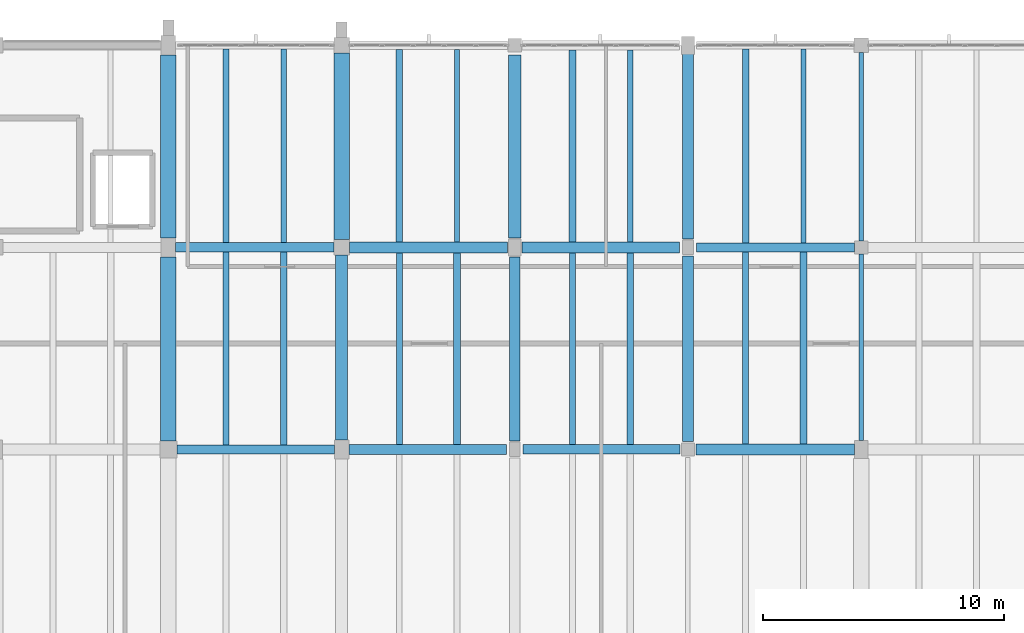
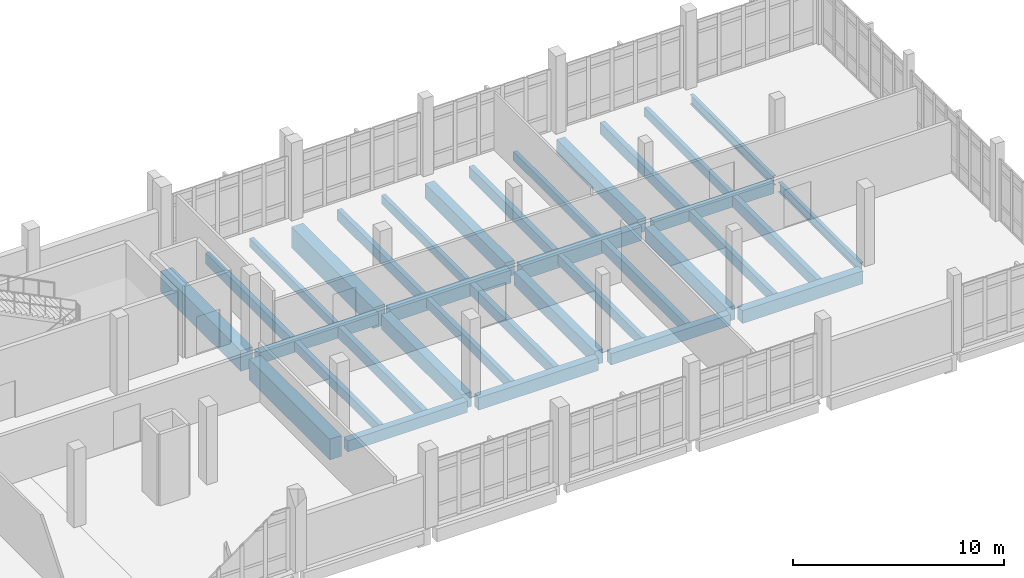
# One storey, part 35 of 57: 34 beams.
"""IFC4 building model written with IfcOpenShell, lengths in metres."""

from ifc_helpers import new_model, si_unit, direction, frame, origin, origin_2d, place, context, subcontext, project, spatial, rectangle, i_section, extrude, material, material_profile, profile_set, type_object, element, save


model = new_model("IFC4")

# Units and contexts
model_context = context("Model", 3, precision=1e-05, world=origin(), true_north=direction((0.0, 1.0)))
body_context = subcontext(model_context, "Body", "Model", "MODEL_VIEW")
ifc_project = project(units=[si_unit("LENGTHUNIT", "METRE"), si_unit("AREAUNIT", "SQUARE_METRE"), si_unit("VOLUMEUNIT", "CUBIC_METRE"), si_unit("PLANEANGLEUNIT", "RADIAN"), si_unit("MASSUNIT", "GRAM", prefix="KILO")], contexts=[model_context])

# Site, building, storey
site_placement = place(None, origin())
site = spatial("IfcSite", under=ifc_project, at=site_placement, CompositionType="ELEMENT")
building_placement = place(site_placement, origin())
building = spatial("IfcBuilding", under=site, at=building_placement, Name="Kalluvel Institute of Natural Sciences", CompositionType="ELEMENT")
storey_placement = place(building_placement, frame((0.0, 0.0, 23.39990234375)))
storey = spatial("IfcBuildingStorey", under=building, at=storey_placement, Name="L05", CompositionType="ELEMENT", Elevation=23.39990234375)

# Beams
ifc_material_1 = material(Name="Steel E350 Grade 350", Category="steel")
ifc_material_profile_1 = material_profile(ifc_material_1, i_section(OverallWidth=0.18994140625, OverallDepth=0.550048828125, WebThickness=0.01123046875, FlangeThickness=0.019287109375, FilletRadius=0.01806640625, at=origin_2d()), Name="ISMB 550")
ifc_profile_set_1 = profile_set([ifc_material_profile_1], Name="Steel E350 Grade 350")
beam_type_1 = type_object("IfcBeamType", Name="BM-ISMB550", PredefinedType="BEAM", material=ifc_profile_set_1)
beam_1_placement = place(storey_placement, frame((107.60009765625, 111.574951171875, -0.594970703125), z_axis=(0.0, 1.0, 0.0), x_axis=(-1.0, 0.0, 0.0)))
element("IfcBeam", 1, at=beam_1_placement, inside=storey, type_object=beam_type_1, Name="L05 girder GIR-L05-NS-X1076-Y1112", PredefinedType="BEAM", context=body_context, shape_type="SweptSolid", body=[
    extrude(i_section(OverallWidth=0.18994140625, OverallDepth=0.550048828125, WebThickness=0.01123046875, FlangeThickness=0.019287109375, FilletRadius=0.01806640625, at=origin_2d()), origin(), (0.0, 0.0, 1.0), 7.75),
])
beam_2_placement = place(storey_placement, frame((107.60009765625, 119.875, -0.594970703125), z_axis=(0.0, 1.0, 0.0), x_axis=(-1.0, 0.0, 0.0)))
element("IfcBeam", 2, at=beam_2_placement, inside=storey, type_object=beam_type_1, Name="L05 girder GIR-L05-NS-X1076-Y1196", PredefinedType="BEAM", context=body_context, shape_type="SweptSolid", body=[
    extrude(i_section(OverallWidth=0.18994140625, OverallDepth=0.550048828125, WebThickness=0.01123046875, FlangeThickness=0.019287109375, FilletRadius=0.01806640625, at=origin_2d()), origin(), (0.0, 0.0, 1.0), 7.824951171875),
])
ifc_material_2 = material(Name="Concrete M40", Category="concrete")
ifc_material_profile_2 = material_profile(ifc_material_2, rectangle(XDim=0.3798828125, YDim=0.639892578125, at=origin_2d()), Name="RCB 380x640")
ifc_profile_set_2 = profile_set([ifc_material_profile_2], Name="Concrete M40")
beam_type_2 = type_object("IfcBeamType", Name="BM-RC380x640", PredefinedType="BEAM", material=ifc_profile_set_2)
beam_3_placement = place(storey_placement, frame((79.14990234375, 111.199951171875, -0.639892578125), z_axis=(1.0, 0.0, 0.0), x_axis=(0.0, 1.0, 0.0)))
element("IfcBeam", 3, at=beam_3_placement, inside=storey, type_object=beam_type_2, Name="L05 girder GIR-L05-EW-X788-Y1112", PredefinedType="BEAM", context=body_context, shape_type="SweptSolid", body=[
    extrude(rectangle(XDim=0.3798828125, YDim=0.639892578125, at=origin_2d()), origin(), (0.0, 0.0, 1.0), 6.550048828125),
])
beam_4_placement = place(storey_placement, frame((100.75, 119.60009765625, -0.639892578125), z_axis=(1.0, 0.0, 0.0), x_axis=(0.0, 1.0, 0.0)))
element("IfcBeam", 4, at=beam_4_placement, inside=storey, type_object=beam_type_2, Name="L05 girder GIR-L05-EW-X1004-Y1196", PredefinedType="BEAM", context=body_context, shape_type="SweptSolid", body=[
    extrude(rectangle(XDim=0.3798828125, YDim=0.639892578125, at=origin_2d()), origin(), (0.0, 0.0, 1.0), 6.574951171875),
])
ifc_material_profile_3 = material_profile(ifc_material_2, rectangle(XDim=0.39990234375, YDim=0.64990234375, at=origin_2d()), Name="RCB 400x650")
ifc_profile_set_3 = profile_set([ifc_material_profile_3], Name="Concrete M40")
beam_type_3 = type_object("IfcBeamType", Name="BM-RC400x650", PredefinedType="BEAM", material=ifc_profile_set_3)
beam_5_placement = place(storey_placement, frame((93.550048828125, 111.199951171875, -0.64501953125), z_axis=(1.0, 0.0, 0.0), x_axis=(0.0, 1.0, 0.0)))
element("IfcBeam", 5, at=beam_5_placement, inside=storey, type_object=beam_type_3, Name="L05 girder GIR-L05-EW-X932-Y1112", PredefinedType="BEAM", context=body_context, shape_type="SweptSolid", body=[
    extrude(rectangle(XDim=0.39990234375, YDim=0.64990234375, at=origin_2d()), origin(), (0.0, 0.0, 1.0), 6.52490234375),
])
beam_6_placement = place(storey_placement, frame((79.10009765625, 119.60009765625, -0.64501953125), z_axis=(1.0, 0.0, 0.0), x_axis=(0.0, 1.0, 0.0)))
element("IfcBeam", 6, at=beam_6_placement, inside=storey, type_object=beam_type_3, Name="L05 girder GIR-L05-EW-X788-Y1196", PredefinedType="BEAM", context=body_context, shape_type="SweptSolid", body=[
    extrude(rectangle(XDim=0.39990234375, YDim=0.64990234375, at=origin_2d()), origin(), (0.0, 0.0, 1.0), 6.574951171875),
])
ifc_material_profile_4 = material_profile(ifc_material_2, rectangle(XDim=0.419921875, YDim=0.719970703125, at=origin_2d()), Name="RCB 420x720")
ifc_profile_set_4 = profile_set([ifc_material_profile_4], Name="Concrete M40")
beam_type_4 = type_object("IfcBeamType", Name="BM-RC420x720", PredefinedType="BEAM", material=ifc_profile_set_4)
beam_7_placement = place(storey_placement, frame((86.300048828125, 111.199951171875, -0.679931640625), z_axis=(1.0, 0.0, 0.0), x_axis=(0.0, 1.0, 0.0)))
element("IfcBeam", 7, at=beam_7_placement, inside=storey, type_object=beam_type_4, Name="L05 girder GIR-L05-EW-X860-Y1112", PredefinedType="BEAM", context=body_context, shape_type="SweptSolid", body=[
    extrude(rectangle(XDim=0.419921875, YDim=0.719970703125, at=origin_2d()), origin(), (0.0, 0.0, 1.0), 6.550048828125),
])
ifc_material_profile_5 = material_profile(ifc_material_2, rectangle(XDim=0.449951171875, YDim=0.75, at=origin_2d()), Name="RCB 450x750")
ifc_profile_set_5 = profile_set([ifc_material_profile_5], Name="Concrete M40")
beam_type_5 = type_object("IfcBeamType", Name="BM-RC450x750", PredefinedType="BEAM", material=ifc_profile_set_5)
beam_8_placement = place(storey_placement, frame((100.72509765625, 111.199951171875, -0.69482421875), z_axis=(1.0, 0.0, 0.0), x_axis=(0.0, 1.0, 0.0)))
element("IfcBeam", 8, at=beam_8_placement, inside=storey, type_object=beam_type_5, Name="L05 girder GIR-L05-EW-X1004-Y1112", PredefinedType="BEAM", context=body_context, shape_type="SweptSolid", body=[
    extrude(rectangle(XDim=0.449951171875, YDim=0.75, at=origin_2d()), origin(), (0.0, 0.0, 1.0), 6.599853515625),
])
beam_9_placement = place(storey_placement, frame((86.324951171875, 119.60009765625, -0.69482421875), z_axis=(1.0, 0.0, 0.0), x_axis=(0.0, 1.0, 0.0)))
element("IfcBeam", 9, at=beam_9_placement, inside=storey, type_object=beam_type_5, Name="L05 girder GIR-L05-EW-X860-Y1196", PredefinedType="BEAM", context=body_context, shape_type="SweptSolid", body=[
    extrude(rectangle(XDim=0.449951171875, YDim=0.75, at=origin_2d()), origin(), (0.0, 0.0, 1.0), 6.574951171875),
])
ifc_material_profile_6 = material_profile(ifc_material_2, rectangle(XDim=0.449951171875, YDim=0.800048828125, at=origin_2d()), Name="RCB 450x800")
ifc_profile_set_6 = profile_set([ifc_material_profile_6], Name="Concrete M40")
beam_type_6 = type_object("IfcBeamType", Name="BM-RC450x800", PredefinedType="BEAM", material=ifc_profile_set_6)
beam_10_placement = place(storey_placement, frame((93.5, 119.60009765625, -0.719970703125), z_axis=(1.0, 0.0, 0.0), x_axis=(0.0, 1.0, 0.0)))
element("IfcBeam", 10, at=beam_10_placement, inside=storey, type_object=beam_type_6, Name="L05 girder GIR-L05-EW-X932-Y1196", PredefinedType="BEAM", context=body_context, shape_type="SweptSolid", body=[
    extrude(rectangle(XDim=0.449951171875, YDim=0.800048828125, at=origin_2d()), origin(), (0.0, 0.0, 1.0), 6.550048828125),
])
beam_11_placement = place(storey_placement, frame((93.199951171875, 111.550048828125, -0.719970703125), z_axis=(0.0, 1.0, 0.0), x_axis=(-1.0, 0.0, 0.0)))
element("IfcBeam", 11, at=beam_11_placement, inside=storey, type_object=beam_type_6, Name="L05 girder GIR-L05-NS-X932-Y1112", PredefinedType="BEAM", context=body_context, shape_type="SweptSolid", body=[
    extrude(rectangle(XDim=0.449951171875, YDim=0.800048828125, at=origin_2d()), origin(), (0.0, 0.0, 1.0), 7.64990234375),
])
beam_12_placement = place(storey_placement, frame((100.39990234375, 111.52490234375, -0.719970703125), z_axis=(0.0, 1.0, 0.0), x_axis=(-1.0, 0.0, 0.0)))
element("IfcBeam", 12, at=beam_12_placement, inside=storey, type_object=beam_type_6, Name="L05 girder GIR-L05-NS-X1004-Y1112", PredefinedType="BEAM", context=body_context, shape_type="SweptSolid", body=[
    extrude(rectangle(XDim=0.449951171875, YDim=0.800048828125, at=origin_2d()), origin(), (0.0, 0.0, 1.0), 7.72509765625),
])
beam_13_placement = place(storey_placement, frame((100.39990234375, 119.949951171875, -0.719970703125), z_axis=(0.0, 1.0, 0.0), x_axis=(-1.0, 0.0, 0.0)))
element("IfcBeam", 13, at=beam_13_placement, inside=storey, type_object=beam_type_6, Name="L05 girder GIR-L05-NS-X1004-Y1196", PredefinedType="BEAM", context=body_context, shape_type="SweptSolid", body=[
    extrude(rectangle(XDim=0.449951171875, YDim=0.800048828125, at=origin_2d()), origin(), (0.0, 0.0, 1.0), 7.699951171875),
])
ifc_material_3 = material(Name="Concrete M50", Category="concrete")
ifc_material_profile_7 = material_profile(ifc_material_3, rectangle(XDim=0.5, YDim=0.85009765625, at=origin_2d()), Name="RCB 500x850")
ifc_profile_set_7 = profile_set([ifc_material_profile_7], Name="Concrete M50")
beam_type_7 = type_object("IfcBeamType", Name="BM-RC500x850", PredefinedType="BEAM", material=ifc_profile_set_7)
beam_14_placement = place(storey_placement, frame((86.0, 111.60009765625, -0.744873046875), z_axis=(0.0, 1.0, 0.0), x_axis=(-1.0, 0.0, 0.0)))
element("IfcBeam", 14, at=beam_14_placement, inside=storey, type_object=beam_type_7, Name="L05 girder GIR-L05-NS-X860-Y1112", PredefinedType="BEAM", context=body_context, shape_type="SweptSolid", body=[
    extrude(rectangle(XDim=0.5, YDim=0.85009765625, at=origin_2d()), origin(), (0.0, 0.0, 1.0), 7.6748046875),
])
beam_15_placement = place(storey_placement, frame((93.199951171875, 120.0, -0.744873046875), z_axis=(0.0, 1.0, 0.0), x_axis=(-1.0, 0.0, 0.0)))
element("IfcBeam", 15, at=beam_15_placement, inside=storey, type_object=beam_type_7, Name="L05 girder GIR-L05-NS-X932-Y1196", PredefinedType="BEAM", context=body_context, shape_type="SweptSolid", body=[
    extrude(rectangle(XDim=0.5, YDim=0.85009765625, at=origin_2d()), origin(), (0.0, 0.0, 1.0), 7.60009765625),
])
ifc_material_profile_8 = material_profile(ifc_material_3, rectangle(XDim=0.64990234375, YDim=1.199951171875, at=origin_2d()), Name="RCB 650x1200")
ifc_profile_set_8 = profile_set([ifc_material_profile_8], Name="Concrete M50")
beam_type_8 = type_object("IfcBeamType", Name="BM-RC650x1200", PredefinedType="BEAM", material=ifc_profile_set_8)
beam_16_placement = place(storey_placement, frame((78.800048828125, 111.550048828125, -0.919921875), z_axis=(0.0, 1.0, 0.0), x_axis=(-1.0, 0.0, 0.0)))
element("IfcBeam", 16, at=beam_16_placement, inside=storey, type_object=beam_type_8, Name="L05 girder GIR-L05-NS-X788-Y1112", PredefinedType="BEAM", context=body_context, shape_type="SweptSolid", body=[
    extrude(rectangle(XDim=0.64990234375, YDim=1.199951171875, at=origin_2d()), origin(), (0.0, 0.0, 1.0), 7.64990234375),
])
beam_17_placement = place(storey_placement, frame((78.800048828125, 120.0, -0.919921875), z_axis=(0.0, 1.0, 0.0), x_axis=(-1.0, 0.0, 0.0)))
element("IfcBeam", 17, at=beam_17_placement, inside=storey, type_object=beam_type_8, Name="L05 girder GIR-L05-NS-X788-Y1196", PredefinedType="BEAM", context=body_context, shape_type="SweptSolid", body=[
    extrude(rectangle(XDim=0.64990234375, YDim=1.199951171875, at=origin_2d()), origin(), (0.0, 0.0, 1.0), 7.60009765625),
])
beam_18_placement = place(storey_placement, frame((86.0, 119.925048828125, -0.919921875), z_axis=(0.0, 1.0, 0.0), x_axis=(-1.0, 0.0, 0.0)))
element("IfcBeam", 18, at=beam_18_placement, inside=storey, type_object=beam_type_8, Name="L05 girder GIR-L05-NS-X860-Y1196", PredefinedType="BEAM", context=body_context, shape_type="SweptSolid", body=[
    extrude(rectangle(XDim=0.64990234375, YDim=1.199951171875, at=origin_2d()), origin(), (0.0, 0.0, 1.0), 7.75),
])
ifc_material_profile_9 = material_profile(ifc_material_2, rectangle(XDim=0.219970703125, YDim=0.5, at=origin_2d()), Name="WAF 220x500")
ifc_profile_set_9 = profile_set([ifc_material_profile_9], Name="Concrete M40")
beam_type_9 = type_object("IfcBeamType", Name="WJ-220x500", PredefinedType="JOIST", material=ifc_profile_set_9)
beam_19_placement = place(storey_placement, frame((83.60009765625, 119.800048828125, -0.56982421875), z_axis=(0.0, 1.0, 0.0), x_axis=(-1.0, 0.0, 0.0)))
element("IfcBeam", 19, at=beam_19_placement, inside=storey, type_object=beam_type_9, Name="L05 waffle joist RIB-L05-0418", PredefinedType="JOIST", context=body_context, shape_type="SweptSolid", body=[
    extrude(rectangle(XDim=0.219970703125, YDim=0.5, at=origin_2d()), origin(), (0.0, 0.0, 1.0), 8.050048828125),
])
beam_20_placement = place(storey_placement, frame((90.800048828125, 119.824951171875, -0.56982421875), z_axis=(0.0, 1.0, 0.0), x_axis=(-1.0, 0.0, 0.0)))
element("IfcBeam", 20, at=beam_20_placement, inside=storey, type_object=beam_type_9, Name="L05 waffle joist RIB-L05-0424", PredefinedType="JOIST", context=body_context, shape_type="SweptSolid", body=[
    extrude(rectangle(XDim=0.219970703125, YDim=0.5, at=origin_2d()), origin(), (0.0, 0.0, 1.0), 8.0),
])
beam_21_placement = place(storey_placement, frame((98.0, 119.824951171875, -0.56982421875), z_axis=(0.0, 1.0, 0.0), x_axis=(-1.0, 0.0, 0.0)))
element("IfcBeam", 21, at=beam_21_placement, inside=storey, type_object=beam_type_9, Name="L05 waffle joist RIB-L05-0430", PredefinedType="JOIST", context=body_context, shape_type="SweptSolid", body=[
    extrude(rectangle(XDim=0.219970703125, YDim=0.5, at=origin_2d()), origin(), (0.0, 0.0, 1.0), 7.97509765625),
])
beam_22_placement = place(storey_placement, frame((105.199951171875, 119.7900390625, -0.56982421875), z_axis=(0.0, 1.0, 0.0), x_axis=(-1.0, 0.0, 0.0)))
element("IfcBeam", 22, at=beam_22_placement, inside=storey, type_object=beam_type_9, Name="L05 waffle joist RIB-L05-0436", PredefinedType="JOIST", context=body_context, shape_type="SweptSolid", body=[
    extrude(rectangle(XDim=0.219970703125, YDim=0.5, at=origin_2d()), origin(), (0.0, 0.0, 1.0), 8.06005859375),
])
ifc_material_profile_10 = material_profile(ifc_material_2, rectangle(XDim=0.25, YDim=0.550048828125, at=origin_2d()), Name="WAF 250x550")
ifc_profile_set_10 = profile_set([ifc_material_profile_10], Name="Concrete M40")
beam_type_10 = type_object("IfcBeamType", Name="WJ-250x550", PredefinedType="JOIST", material=ifc_profile_set_10)
beam_23_placement = place(storey_placement, frame((81.199951171875, 111.389892578125, -0.594970703125), z_axis=(0.0, 1.0, 0.0), x_axis=(-1.0, 0.0, 0.0)))
element("IfcBeam", 23, at=beam_23_placement, inside=storey, type_object=beam_type_10, Name="L05 waffle joist RIB-L05-0415", PredefinedType="JOIST", context=body_context, shape_type="SweptSolid", body=[
    extrude(rectangle(XDim=0.25, YDim=0.550048828125, at=origin_2d()), origin(), (0.0, 0.0, 1.0), 8.010009765625),
])
beam_24_placement = place(storey_placement, frame((88.39990234375, 111.409912109375, -0.594970703125), z_axis=(0.0, 1.0, 0.0), x_axis=(-1.0, 0.0, 0.0)))
element("IfcBeam", 24, at=beam_24_placement, inside=storey, type_object=beam_type_10, Name="L05 waffle joist RIB-L05-0421", PredefinedType="JOIST", context=body_context, shape_type="SweptSolid", body=[
    extrude(rectangle(XDim=0.25, YDim=0.550048828125, at=origin_2d()), origin(), (0.0, 0.0, 1.0), 7.965087890625),
])
ifc_material_profile_11 = material_profile(ifc_material_2, rectangle(XDim=0.25, YDim=0.60009765625, at=origin_2d()), Name="WAF 250x600")
ifc_profile_set_11 = profile_set([ifc_material_profile_11], Name="Concrete M40")
beam_type_11 = type_object("IfcBeamType", Name="WJ-250x600", PredefinedType="JOIST", material=ifc_profile_set_11)
beam_25_placement = place(storey_placement, frame((95.60009765625, 111.39990234375, -0.619873046875), z_axis=(0.0, 1.0, 0.0), x_axis=(-1.0, 0.0, 0.0)))
element("IfcBeam", 25, at=beam_25_placement, inside=storey, type_object=beam_type_11, Name="L05 waffle joist RIB-L05-0427", PredefinedType="JOIST", context=body_context, shape_type="SweptSolid", body=[
    extrude(rectangle(XDim=0.25, YDim=0.60009765625, at=origin_2d()), origin(), (0.0, 0.0, 1.0), 7.97509765625),
])
beam_26_placement = place(storey_placement, frame((102.800048828125, 111.425048828125, -0.619873046875), z_axis=(0.0, 1.0, 0.0), x_axis=(-1.0, 0.0, 0.0)))
element("IfcBeam", 26, at=beam_26_placement, inside=storey, type_object=beam_type_11, Name="L05 waffle joist RIB-L05-0433", PredefinedType="JOIST", context=body_context, shape_type="SweptSolid", body=[
    extrude(rectangle(XDim=0.25, YDim=0.60009765625, at=origin_2d()), origin(), (0.0, 0.0, 1.0), 7.98486328125),
])
ifc_material_profile_12 = material_profile(ifc_material_3, rectangle(XDim=0.260009765625, YDim=0.6201171875, at=origin_2d()), Name="WAF 260x620")
ifc_profile_set_12 = profile_set([ifc_material_profile_12], Name="Concrete M50")
beam_type_12 = type_object("IfcBeamType", Name="WJ-260x620", PredefinedType="JOIST", material=ifc_profile_set_12)
beam_27_placement = place(storey_placement, frame((81.199951171875, 119.800048828125, -0.6298828125), z_axis=(0.0, 1.0, 0.0), x_axis=(-1.0, 0.0, 0.0)))
element("IfcBeam", 27, at=beam_27_placement, inside=storey, type_object=beam_type_12, Name="L05 waffle joist RIB-L05-0417", PredefinedType="JOIST", context=body_context, shape_type="SweptSolid", body=[
    extrude(rectangle(XDim=0.260009765625, YDim=0.6201171875, at=origin_2d()), origin(), (0.0, 0.0, 1.0), 8.050048828125),
])
beam_28_placement = place(storey_placement, frame((88.39990234375, 119.824951171875, -0.6298828125), z_axis=(0.0, 1.0, 0.0), x_axis=(-1.0, 0.0, 0.0)))
element("IfcBeam", 28, at=beam_28_placement, inside=storey, type_object=beam_type_12, Name="L05 waffle joist RIB-L05-0423", PredefinedType="JOIST", context=body_context, shape_type="SweptSolid", body=[
    extrude(rectangle(XDim=0.260009765625, YDim=0.6201171875, at=origin_2d()), origin(), (0.0, 0.0, 1.0), 8.0),
])
ifc_material_profile_13 = material_profile(ifc_material_3, rectangle(XDim=0.280029296875, YDim=0.64990234375, at=origin_2d()), Name="WAF 280x650")
ifc_profile_set_13 = profile_set([ifc_material_profile_13], Name="Concrete M50")
beam_type_13 = type_object("IfcBeamType", Name="WJ-280x650", PredefinedType="JOIST", material=ifc_profile_set_13)
beam_29_placement = place(storey_placement, frame((83.60009765625, 111.389892578125, -0.64501953125), z_axis=(0.0, 1.0, 0.0), x_axis=(-1.0, 0.0, 0.0)))
element("IfcBeam", 29, at=beam_29_placement, inside=storey, type_object=beam_type_13, Name="L05 waffle joist RIB-L05-0416", PredefinedType="JOIST", context=body_context, shape_type="SweptSolid", body=[
    extrude(rectangle(XDim=0.280029296875, YDim=0.64990234375, at=origin_2d()), origin(), (0.0, 0.0, 1.0), 8.010009765625),
])
beam_30_placement = place(storey_placement, frame((90.800048828125, 111.409912109375, -0.64501953125), z_axis=(0.0, 1.0, 0.0), x_axis=(-1.0, 0.0, 0.0)))
element("IfcBeam", 30, at=beam_30_placement, inside=storey, type_object=beam_type_13, Name="L05 waffle joist RIB-L05-0422", PredefinedType="JOIST", context=body_context, shape_type="SweptSolid", body=[
    extrude(rectangle(XDim=0.280029296875, YDim=0.64990234375, at=origin_2d()), origin(), (0.0, 0.0, 1.0), 7.965087890625),
])
for number, where, z_axis, x_axis, name in (
    (31, (98.0, 111.39990234375, -0.64501953125), (0.0, 1.0, 0.0), (-1.0, 0.0, 0.0), "L05 waffle joist RIB-L05-0428"),
    (32, (95.60009765625, 119.824951171875, -0.64501953125), (0.0, 1.0, 0.0), (-1.0, 0.0, 0.0), "L05 waffle joist RIB-L05-0429"),
):
    element("IfcBeam", number, at=place(storey_placement, frame(where, z_axis=z_axis, x_axis=x_axis)), inside=storey, type_object=beam_type_13, Name=name, PredefinedType="JOIST", context=body_context, shape_type="SweptSolid", body=[
        extrude(rectangle(XDim=0.280029296875, YDim=0.64990234375, at=origin_2d()), origin(), (0.0, 0.0, 1.0), 7.97509765625),
    ])
beam_31_placement = place(storey_placement, frame((105.199951171875, 111.425048828125, -0.64501953125), z_axis=(0.0, 1.0, 0.0), x_axis=(-1.0, 0.0, 0.0)))
element("IfcBeam", 33, at=beam_31_placement, inside=storey, type_object=beam_type_13, Name="L05 waffle joist RIB-L05-0434", PredefinedType="JOIST", context=body_context, shape_type="SweptSolid", body=[
    extrude(rectangle(XDim=0.280029296875, YDim=0.64990234375, at=origin_2d()), origin(), (0.0, 0.0, 1.0), 7.98486328125),
])
beam_32_placement = place(storey_placement, frame((102.800048828125, 119.7900390625, -0.64501953125), z_axis=(0.0, 1.0, 0.0), x_axis=(-1.0, 0.0, 0.0)))
element("IfcBeam", 34, at=beam_32_placement, inside=storey, type_object=beam_type_13, Name="L05 waffle joist RIB-L05-0435", PredefinedType="JOIST", context=body_context, shape_type="SweptSolid", body=[
    extrude(rectangle(XDim=0.280029296875, YDim=0.64990234375, at=origin_2d()), origin(), (0.0, 0.0, 1.0), 8.06005859375),
])

save(model, "model.ifc")
